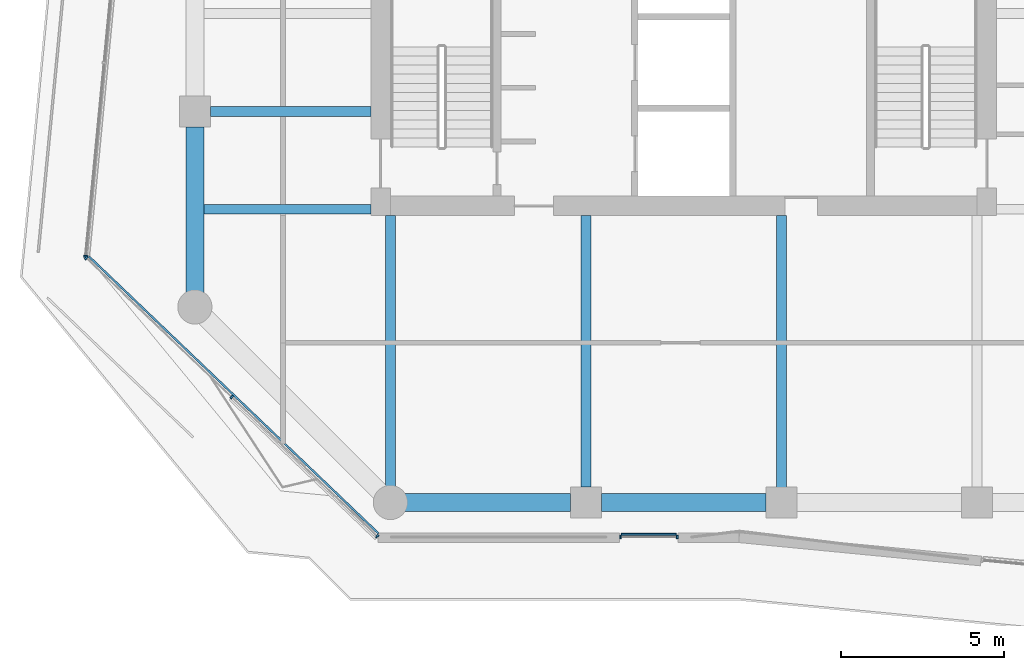
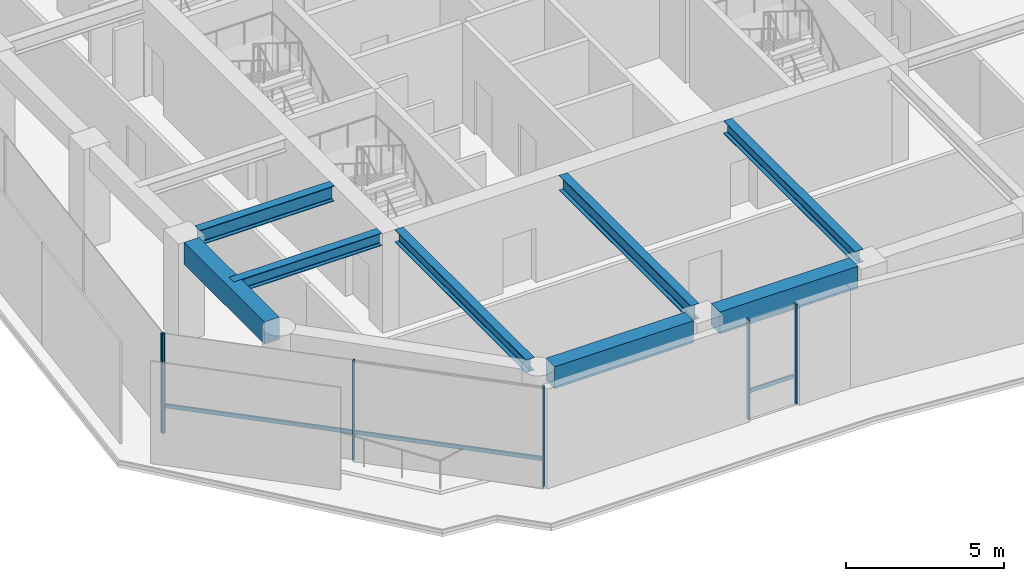
# One storey, part 2 of 23: 8 beams, 8 members, 3 elements without a shape of their own.
"""IFC4 building model written with IfcOpenShell, lengths in metres."""

from ifc_helpers import new_model, si_unit, direction, frame, origin, origin_2d, place, context, subcontext, project, spatial, rectangle, i_section, extrude, material, layer, layer_set, material_profile, profile_set, type_object, element, aggregate, save


model = new_model("IFC4")

# Units and contexts
model_context = context("Model", 3, precision=1e-05, world=origin(), true_north=direction((0.0, 1.0)))
body_context = subcontext(model_context, "Body", "Model", "MODEL_VIEW")
ifc_project = project(units=[si_unit("LENGTHUNIT", "METRE"), si_unit("AREAUNIT", "SQUARE_METRE"), si_unit("VOLUMEUNIT", "CUBIC_METRE"), si_unit("PLANEANGLEUNIT", "RADIAN"), si_unit("MASSUNIT", "GRAM", prefix="KILO")], contexts=[model_context])

# Site, building, storey
site_placement = place(None, origin())
site = spatial("IfcSite", under=ifc_project, at=site_placement, CompositionType="ELEMENT")
building_placement = place(site_placement, origin())
building = spatial("IfcBuilding", under=site, at=building_placement, Name="Welwitschia Terrace Campus", CompositionType="ELEMENT")
storey_placement = place(building_placement, frame((0.0, 0.0, 146.60009765625)))
storey = spatial("IfcBuildingStorey", under=building, at=storey_placement, Name="L32", CompositionType="ELEMENT", Elevation=146.60009765625)

# Beams
ifc_material_1 = material(Name="Steel S355", Category="steel")
ifc_material_profile_1 = material_profile(ifc_material_1, i_section(OverallWidth=0.300048828125, OverallDepth=0.489990234375, WebThickness=0.011962890625, FlangeThickness=0.02294921875, FilletRadius=0.027099609375, at=origin_2d()))
ifc_profile_set_1 = profile_set([ifc_material_profile_1], Name="Steel S355")
beam_type_1 = type_object("IfcBeamType", Name="Interior girder HE 500 A", PredefinedType="BEAM", material=ifc_profile_set_1)
beam_1_placement = place(storey_placement, frame((-0.010009765625, 5.0, 3.60498046875), z_axis=(1.0, 0.0, 0.0), x_axis=(0.0, 1.0, 0.0)))
element("IfcBeam", 1, at=beam_1_placement, inside=storey, type_object=beam_type_1, Name="Girder GB4", PredefinedType="BEAM", context=body_context, shape_type="SweptSolid", body=[
    extrude(i_section(OverallWidth=0.300048828125, OverallDepth=0.489990234375, WebThickness=0.011962890625, FlangeThickness=0.02294921875, FilletRadius=0.027099609375, at=origin_2d()), origin(), (0.0, 0.0, 1.0), 5.408935546875),
])
beam_2_placement = place(storey_placement, frame((6.0, -3.506103515625, 3.60498046875), z_axis=(0.0, 1.0, 0.0), x_axis=(-1.0, 0.0, 0.0)))
element("IfcBeam", 2, at=beam_2_placement, inside=storey, type_object=beam_type_1, Name="Girder GB4", PredefinedType="BEAM", context=body_context, shape_type="SweptSolid", body=[
    extrude(i_section(OverallWidth=0.300048828125, OverallDepth=0.489990234375, WebThickness=0.011962890625, FlangeThickness=0.02294921875, FilletRadius=0.027099609375, at=origin_2d()), origin(), (0.0, 0.0, 1.0), 8.30517578125),
])
beam_3_placement = place(storey_placement, frame((18.0, -3.534423828125, 3.60498046875), z_axis=(0.0, 1.0, 0.0), x_axis=(-1.0, 0.0, 0.0)))
element("IfcBeam", 3, at=beam_3_placement, inside=storey, type_object=beam_type_1, Name="Girder GB4", PredefinedType="BEAM", context=body_context, shape_type="SweptSolid", body=[
    extrude(i_section(OverallWidth=0.300048828125, OverallDepth=0.489990234375, WebThickness=0.011962890625, FlangeThickness=0.02294921875, FilletRadius=0.027099609375, at=origin_2d()), origin(), (0.0, 0.0, 1.0), 8.33349609375),
])

# Curtain wall, member
ifc_material_2 = material(Name="Bronze anodised aluminium", Category="aluminium")
ifc_layer = layer(ifc_material_2, 0.1201171875)
ifc_layer_set = layer_set([ifc_layer], Name="Bronze anodised aluminium")
curtain_wall_type = type_object("IfcCurtainWallType", Name="Curtain wall CW2 tower 6000", PredefinedType="NOTDEFINED", material=ifc_layer_set)
curtain_wall_1_placement = place(storey_placement, origin())
curtain_wall_1 = element("IfcCurtainWall", 4, at=curtain_wall_1_placement, inside=storey, type_object=curtain_wall_type, Name="CW L32.1.0", PredefinedType="NOTDEFINED")
ifc_material_3 = material(Name="Bronze anodised aluminium", Category="aluminium")
ifc_material_profile_2 = material_profile(ifc_material_3, rectangle(XDim=0.1201171875, YDim=0.06005859375, at=origin_2d()))
ifc_profile_set_2 = profile_set([ifc_material_profile_2], Name="Bronze anodised aluminium")
member_type_1 = type_object("IfcMemberType", Name="Mullion 60x120", PredefinedType="MULLION", material=ifc_profile_set_2)
member_1_placement = place(storey_placement, frame((-3.351806640625, 3.553466796875, 0.0), z_axis=(0.0, 0.0, 1.0), x_axis=(0.995396198367, -0.09584575252, 0.0)))
member_1 = element("IfcMember", 5, at=member_1_placement, type_object=member_type_1, Name="Mullion L32.1.0.4", PredefinedType="MULLION", context=body_context, shape_type="SweptSolid", body=[
    extrude(rectangle(XDim=0.1201171875, YDim=0.06005859375, at=origin_2d()), origin(), (0.0, 0.0, 1.0), 3.849853515625),
])
aggregate(curtain_wall_1, [member_1])

# Curtain wall, members
curtain_wall_2_placement = place(storey_placement, origin())
curtain_wall_2 = element("IfcCurtainWall", 6, at=curtain_wall_2_placement, inside=storey, type_object=curtain_wall_type, Name="CW L32.2.0", PredefinedType="NOTDEFINED")
member_2_placement = place(storey_placement, frame((-3.3330078125, 3.502685546875, 0.0), z_axis=(0.0, 0.0, 1.0), x_axis=(0.691279423137, 0.722587544279, 0.0)))
member_2 = element("IfcMember", 7, at=member_2_placement, type_object=member_type_1, Name="Mullion L32.2.0.0", PredefinedType="MULLION", context=body_context, shape_type="SweptSolid", body=[
    extrude(rectangle(XDim=0.1201171875, YDim=0.06005859375, at=origin_2d()), origin(), (0.0, 0.0, 1.0), 3.849853515625),
])
member_3_placement = place(storey_placement, frame((1.13037109375, -0.767333984375, 0.0), z_axis=(0.0, 0.0, 1.0), x_axis=(0.691279423137, 0.722587544279, 0.0)))
member_3 = element("IfcMember", 8, at=member_3_placement, type_object=member_type_1, Name="Mullion L32.2.0.1", PredefinedType="MULLION", context=body_context, shape_type="SweptSolid", body=[
    extrude(rectangle(XDim=0.1201171875, YDim=0.06005859375, at=origin_2d()), origin(), (0.0, 0.0, 1.0), 3.849853515625),
])
member_4_placement = place(storey_placement, frame((5.59375, -5.037353515625, 0.0), z_axis=(0.0, 0.0, 1.0), x_axis=(0.691279423137, 0.722587544279, 0.0)))
member_4 = element("IfcMember", 9, at=member_4_placement, type_object=member_type_1, Name="Mullion L32.2.0.2", PredefinedType="MULLION", context=body_context, shape_type="SweptSolid", body=[
    extrude(rectangle(XDim=0.1201171875, YDim=0.06005859375, at=origin_2d()), origin(), (0.0, 0.0, 1.0), 3.849853515625),
])

curtain_wall_3_placement = place(storey_placement, origin())
curtain_wall_3 = element("IfcCurtainWall", 10, at=curtain_wall_3_placement, inside=storey, type_object=curtain_wall_type, Name="CW L32.3.S0", PredefinedType="NOTDEFINED")
member_5_placement = place(storey_placement, frame((13.059326171875, -5.05810546875, 0.0), z_axis=(0.0, 0.0, 1.0), x_axis=(0.0, 1.0, 0.0)))
member_5 = element("IfcMember", 11, at=member_5_placement, type_object=member_type_1, Name="Mullion L32.3.S0.0", PredefinedType="MULLION", context=body_context, shape_type="SweptSolid", body=[
    extrude(rectangle(XDim=0.1201171875, YDim=0.06005859375, at=origin_2d()), origin(), (0.0, 0.0, 1.0), 3.849853515625),
])
member_6_placement = place(storey_placement, frame((14.79931640625, -5.05810546875, 0.0), z_axis=(0.0, 0.0, 1.0), x_axis=(0.0, 1.0, 0.0)))
member_6 = element("IfcMember", 12, at=member_6_placement, type_object=member_type_1, Name="Mullion L32.3.S0.1", PredefinedType="MULLION", context=body_context, shape_type="SweptSolid", body=[
    extrude(rectangle(XDim=0.1201171875, YDim=0.06005859375, at=origin_2d()), origin(), (0.0, 0.0, 1.0), 3.849853515625),
])

# Beams
ifc_material_4 = material(Name="Steel S355", Category="steel")
ifc_material_profile_3 = material_profile(ifc_material_4, i_section(OverallWidth=0.300048828125, OverallDepth=0.590087890625, WebThickness=0.012939453125, FlangeThickness=0.02490234375, FilletRadius=0.027099609375, at=origin_2d()))
ifc_profile_set_3 = profile_set([ifc_material_profile_3], Name="Steel S355")
beam_type_2 = type_object("IfcBeamType", Name="Primary beam HE 600 A", PredefinedType="BEAM", material=ifc_profile_set_3)
beam_4_placement = place(storey_placement, frame((12.0, -3.5244140625, 3.554931640625), z_axis=(0.0, 1.0, 0.0), x_axis=(-1.0, 0.0, 0.0)))
element("IfcBeam", 13, at=beam_4_placement, inside=storey, type_object=beam_type_2, Name="Primary beam PB4", PredefinedType="BEAM", context=body_context, shape_type="SweptSolid", body=[
    extrude(i_section(OverallWidth=0.300048828125, OverallDepth=0.590087890625, WebThickness=0.012939453125, FlangeThickness=0.02490234375, FilletRadius=0.027099609375, at=origin_2d()), origin(), (0.0, 0.0, 1.0), 8.324462890625),
])
beam_5_placement = place(storey_placement, frame((0.4755859375, 8.0, 3.554931640625), z_axis=(1.0, 0.0, 0.0), x_axis=(0.0, 1.0, 0.0)))
element("IfcBeam", 14, at=beam_5_placement, inside=storey, type_object=beam_type_2, Name="Primary beam PB4", PredefinedType="BEAM", context=body_context, shape_type="SweptSolid", body=[
    extrude(i_section(OverallWidth=0.300048828125, OverallDepth=0.590087890625, WebThickness=0.012939453125, FlangeThickness=0.02490234375, FilletRadius=0.027099609375, at=origin_2d()), origin(), (0.0, 0.0, 1.0), 4.92431640625),
])
ifc_material_5 = material(Name="Concrete C50/60", Category="concrete")
ifc_material_profile_4 = material_profile(ifc_material_5, rectangle(XDim=0.550048828125, YDim=0.85009765625, at=origin_2d()))
ifc_profile_set_4 = profile_set([ifc_material_profile_4], Name="Concrete C50/60")
beam_type_3 = type_object("IfcBeamType", Name="Ring spandrel 550x850", PredefinedType="SPANDREL", material=ifc_profile_set_4)
beam_6_placement = place(storey_placement, frame((6.447998046875, -4.0, 3.4248046875), z_axis=(1.0, 0.0, 0.0), x_axis=(0.0, 1.0, 0.0)))
element("IfcBeam", 15, at=beam_6_placement, inside=storey, type_object=beam_type_3, Name="Spandrel SP3", PredefinedType="SPANDREL", context=body_context, shape_type="SweptSolid", body=[
    extrude(rectangle(XDim=0.550048828125, YDim=0.85009765625, at=origin_2d()), origin(), (0.0, 0.0, 1.0), 5.076416015625),
])
beam_7_placement = place(storey_placement, frame((12.4755859375, -4.0, 3.4248046875), z_axis=(1.0, 0.0, 0.0), x_axis=(0.0, 1.0, 0.0)))
element("IfcBeam", 16, at=beam_7_placement, inside=storey, type_object=beam_type_3, Name="Spandrel SP3", PredefinedType="SPANDREL", context=body_context, shape_type="SweptSolid", body=[
    extrude(rectangle(XDim=0.550048828125, YDim=0.85009765625, at=origin_2d()), origin(), (0.0, 0.0, 1.0), 5.048828125),
])
beam_8_placement = place(storey_placement, frame((0.0, 7.5244140625, 3.4248046875), z_axis=(0.0, -1.0, 0.0), x_axis=(1.0, 0.0, 0.0)))
element("IfcBeam", 17, at=beam_8_placement, inside=storey, type_object=beam_type_3, Name="Spandrel SP3", PredefinedType="SPANDREL", context=body_context, shape_type="SweptSolid", body=[
    extrude(rectangle(XDim=0.550048828125, YDim=0.85009765625, at=origin_2d()), origin(), (0.0, 0.0, 1.0), 5.076416015625),
])

# Member
ifc_material_6 = material(Name="Bronze anodised aluminium", Category="aluminium")
ifc_material_profile_5 = material_profile(ifc_material_6, rectangle(XDim=0.06005859375, YDim=0.14990234375, at=origin_2d()))
ifc_profile_set_5 = profile_set([ifc_material_profile_5], Name="Bronze anodised aluminium")
member_type_2 = type_object("IfcMemberType", Name="Transom 60x150", PredefinedType="USERDEFINED", material=ifc_profile_set_5)
member_7_placement = place(storey_placement, frame((-3.2490234375, 3.547119140625, 1.0), z_axis=(0.722582336877, -0.691284866342, 0.0), x_axis=(0.691284866342, 0.722582336877, 0.0)))
member_7 = element("IfcMember", 18, at=member_7_placement, type_object=member_type_2, Name="Transom L32.2.0", ObjectType="TRANSOM", PredefinedType="USERDEFINED", context=body_context, shape_type="SweptSolid", body=[
    extrude(rectangle(XDim=0.06005859375, YDim=0.14990234375, at=origin_2d()), origin(), (0.0, 0.0, 1.0), 12.2939453125),
])

aggregate(curtain_wall_2, [member_2, member_3, member_4, member_7])

member_8_placement = place(storey_placement, frame((13.08935546875, -4.968017578125, 1.0), z_axis=(1.0, 0.0, 0.0), x_axis=(0.0, 1.0, 0.0)))
member_8 = element("IfcMember", 19, at=member_8_placement, type_object=member_type_2, Name="Transom L32.3.S0", ObjectType="TRANSOM", PredefinedType="USERDEFINED", context=body_context, shape_type="SweptSolid", body=[
    extrude(rectangle(XDim=0.06005859375, YDim=0.14990234375, at=origin_2d()), origin(), (0.0, 0.0, 1.0), 1.679931640625),
])

aggregate(curtain_wall_3, [member_5, member_6, member_8])

save(model, "model.ifc")
